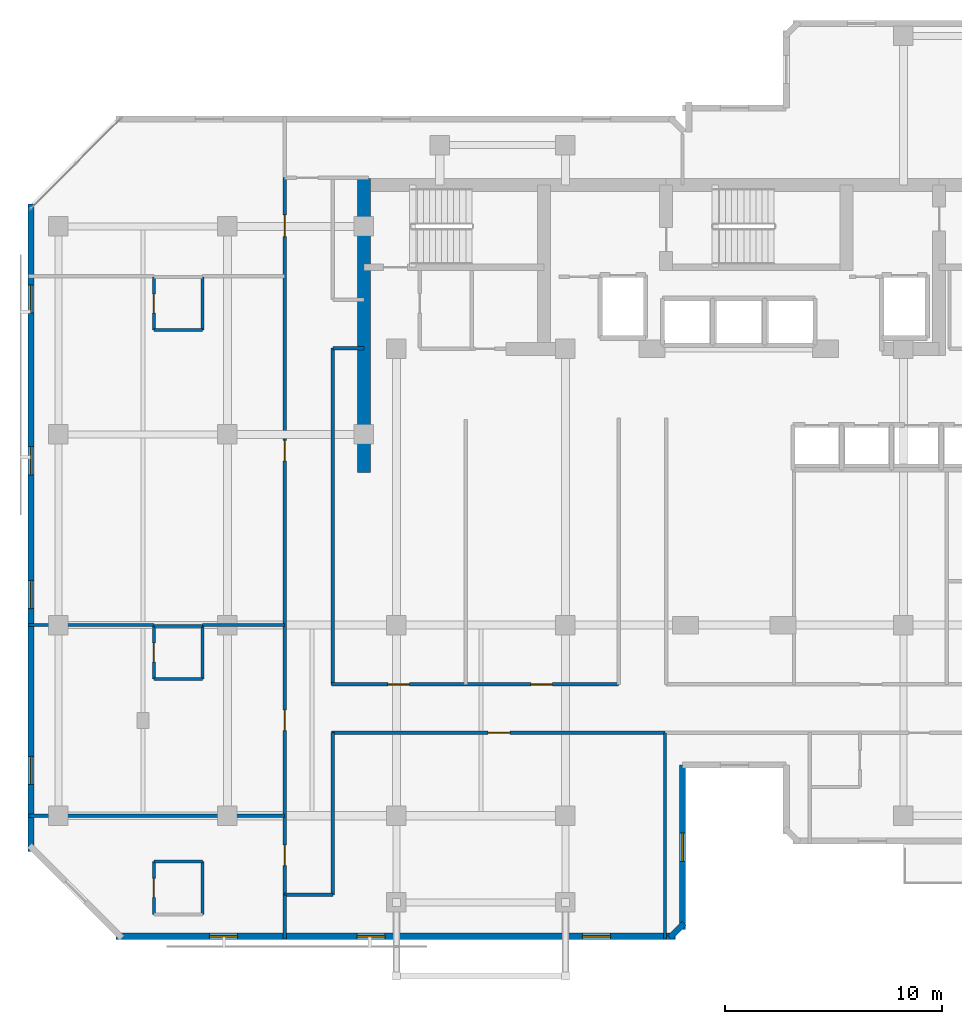
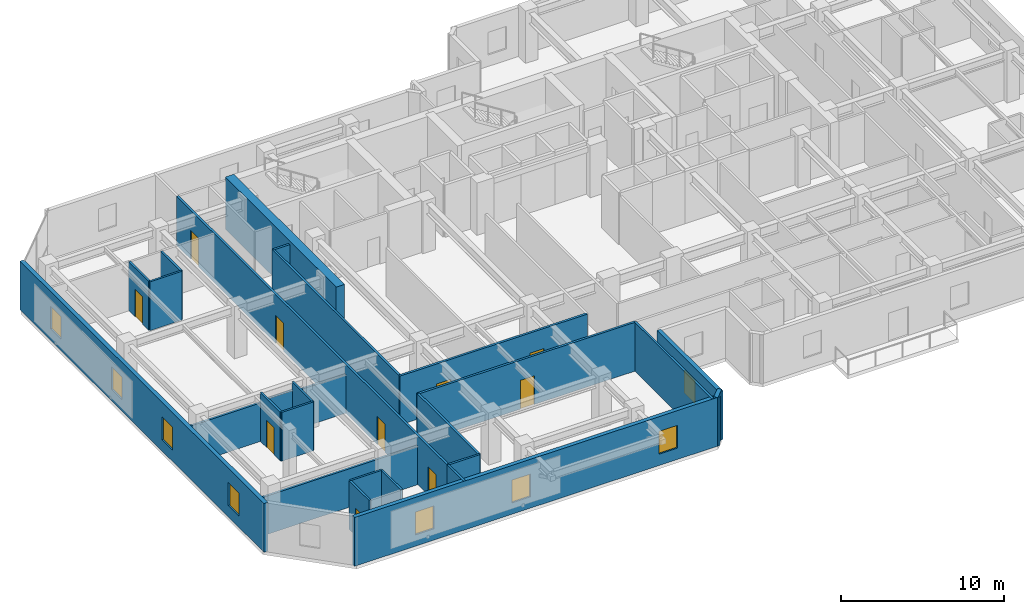
# One storey, part 4 of 10: 27 walls, 10 doors, 8 windows, 18 openings.
"""IFC4 building model written with IfcOpenShell, lengths in metres."""

from ifc_helpers import new_model, si_unit, direction, frame, frame_2d, origin, place, context, subcontext, project, spatial, rectangle, extrude, material, layer, layer_set, type_object, element, fill, save


model = new_model("IFC4")

# Units and contexts
model_context = context("Model", 3, precision=1e-05, world=origin(), true_north=direction((0.0, 1.0)))
body_context = subcontext(model_context, "Body", "Model", "MODEL_VIEW")
ifc_project = project(units=[si_unit("LENGTHUNIT", "METRE"), si_unit("AREAUNIT", "SQUARE_METRE"), si_unit("VOLUMEUNIT", "CUBIC_METRE"), si_unit("PLANEANGLEUNIT", "RADIAN"), si_unit("MASSUNIT", "GRAM", prefix="KILO")], contexts=[model_context])

# Site, building, storey
site_placement = place(None, origin())
site = spatial("IfcSite", under=ifc_project, at=site_placement, CompositionType="ELEMENT")
building_placement = place(site_placement, origin())
building = spatial("IfcBuilding", under=site, at=building_placement, Name="Kestravale Grand Hotel", CompositionType="ELEMENT")
storey_placement = place(building_placement, frame((0.0, 0.0, 196.800048828125)))
storey = spatial("IfcBuildingStorey", under=building, at=storey_placement, Name="L49", CompositionType="ELEMENT", Elevation=196.800048828125)

# Wall
ifc_material_1 = material(Name="Concrete f'c 50 MPa", Category="concrete")
ifc_layer_1 = layer(ifc_material_1, 0.60009765625)
ifc_layer_set_1 = layer_set([ifc_layer_1], Name="EW-CORE-600")
wall_type_1 = type_object("IfcWallType", Name="EW-CORE-600", PredefinedType="SHEAR", material=ifc_layer_set_1)
wall_1_placement = place(storey_placement, frame((21.89990234375, 27.050048828125, 0.0), z_axis=(0.0, 0.0, 1.0), x_axis=(0.0, 1.0, 0.0)))
element("IfcWall", 1, at=wall_1_placement, inside=storey, type_object=wall_type_1, Name="L49 core shear wall W1", PredefinedType="SHEAR", context=body_context, shape_type="SweptSolid", body=[
    extrude(rectangle(XDim=13.570068359375, YDim=0.60009765625, at=frame_2d((6.78515625, 0.0))), origin(), (0.0, 0.0, 1.0), 3.89990234375),
])

# Wall, openings, windows
ifc_material_2 = material(Name="Precast concrete f'c 45 MPa", Category="concrete")
ifc_layer_2 = layer(ifc_material_2, 0.280029296875)
ifc_layer_set_2 = layer_set([ifc_layer_2], Name="EW-PREC-280")
wall_type_2 = type_object("IfcWallType", Name="EW-PREC-280", PredefinedType="SOLIDWALL", material=ifc_layer_set_2)
wall_2_placement = place(storey_placement, frame((10.4599609375, 5.639892578125, 0.0), z_axis=(0.0, 0.0, 1.0), x_axis=(1.0, 0.0, 0.0)))
wall_2 = element("IfcWall", 2, at=wall_2_placement, inside=storey, type_object=wall_type_2, Name="L49 fluted precast facade wall 1", PredefinedType="SOLIDWALL", context=body_context, shape_type="SweptSolid", body=[
    extrude(rectangle(XDim=25.830078125, YDim=0.280029296875, at=frame_2d((12.9150390625, 0.0))), origin(), (0.0, 0.0, 1.0), 3.64990234375),
])
opening_1_placement = place(wall_2_placement, frame((4.304931640625, 0.0, 0.85009765625)))
opening_1 = element("IfcOpeningElement", 3, at=opening_1_placement, cuts=wall_2, Name="Opening W-GUEST-1300", PredefinedType="OPENING", context=body_context, shape_type="SweptSolid", body=[
    extrude(rectangle(XDim=1.300048828125, YDim=1.699951171875, at=frame_2d((0.64990234375, 0.85009765625))), frame((0.0, 0.14990234375, 0.0), z_axis=(0.0, -1.0, 0.0), x_axis=(1.0, 0.0, 0.0)), (0.0, 0.0, 1.0), 0.300048828125),
])
opening_2_placement = place(wall_2_placement, frame((11.114990234375, 0.0, 0.85009765625)))
opening_2 = element("IfcOpeningElement", 4, at=opening_2_placement, cuts=wall_2, Name="Opening W-GUEST-1300", PredefinedType="OPENING", context=body_context, shape_type="SweptSolid", body=[
    extrude(rectangle(XDim=1.300048828125, YDim=1.699951171875, at=frame_2d((0.64990234375, 0.85009765625))), frame((0.0, 0.14990234375, 0.0), z_axis=(0.0, -1.0, 0.0), x_axis=(1.0, 0.0, 0.0)), (0.0, 0.0, 1.0), 0.300048828125),
])
opening_3_placement = place(wall_2_placement, frame((21.52490234375, 0.0, 0.85009765625)))
opening_3 = element("IfcOpeningElement", 5, at=opening_3_placement, cuts=wall_2, Name="Opening W-GUEST-1300", PredefinedType="OPENING", context=body_context, shape_type="SweptSolid", body=[
    extrude(rectangle(XDim=1.300048828125, YDim=1.699951171875, at=frame_2d((0.64990234375, 0.85009765625))), frame((0.0, 0.14990234375, 0.0), z_axis=(0.0, -1.0, 0.0), x_axis=(1.0, 0.0, 0.0)), (0.0, 0.0, 1.0), 0.300048828125),
])
ifc_material_3 = material(Name="Insulated low-E double glazing in aluminium frame", Category="aluminium")
window_type = type_object("IfcWindowType", Name="W-GUEST-1300", PartitioningType="SINGLE_PANEL", PredefinedType="WINDOW", material=ifc_material_3)
window_1_placement = place(opening_1_placement, origin())
window_1 = element("IfcWindow", 6, at=window_1_placement, inside=storey, type_object=window_type, Name="L49 exterior window 1.1", OverallHeight=1.699951171875, OverallWidth=1.300048828125, PartitioningType="SINGLE_PANEL", PredefinedType="WINDOW", context=body_context, shape_type="SweptSolid", body=[
    extrude(rectangle(XDim=1.300048828125, YDim=1.699951171875, at=frame_2d((0.64990234375, 0.85009765625))), frame((0.0, 0.030029296875, 0.0), z_axis=(0.0, -1.0, 0.0), x_axis=(1.0, 0.0, 0.0)), (0.0, 0.0, 1.0), 0.06005859375),
])
fill(opening_1, window_1)
window_2_placement = place(opening_2_placement, origin())
window_2 = element("IfcWindow", 7, at=window_2_placement, inside=storey, type_object=window_type, Name="L49 exterior window 1.2", OverallHeight=1.699951171875, OverallWidth=1.300048828125, PartitioningType="SINGLE_PANEL", PredefinedType="WINDOW", context=body_context, shape_type="SweptSolid", body=[
    extrude(rectangle(XDim=1.300048828125, YDim=1.699951171875, at=frame_2d((0.64990234375, 0.85009765625))), frame((0.0, 0.030029296875, 0.0), z_axis=(0.0, -1.0, 0.0), x_axis=(1.0, 0.0, 0.0)), (0.0, 0.0, 1.0), 0.06005859375),
])
fill(opening_2, window_2)
window_3_placement = place(opening_3_placement, origin())
window_3 = element("IfcWindow", 8, at=window_3_placement, inside=storey, type_object=window_type, Name="L49 exterior window 1.3", OverallHeight=1.699951171875, OverallWidth=1.300048828125, PartitioningType="SINGLE_PANEL", PredefinedType="WINDOW", context=body_context, shape_type="SweptSolid", body=[
    extrude(rectangle(XDim=1.300048828125, YDim=1.699951171875, at=frame_2d((0.64990234375, 0.85009765625))), frame((0.0, 0.030029296875, 0.0), z_axis=(0.0, -1.0, 0.0), x_axis=(1.0, 0.0, 0.0)), (0.0, 0.0, 1.0), 0.06005859375),
])
fill(opening_3, window_3)

# Wall
wall_3_placement = place(storey_placement, frame((36.022705078125, 5.57080078125, 0.0), z_axis=(0.0, 0.0, 1.0), x_axis=(0.707106781187, 0.707106781187, 0.0)))
element("IfcWall", 9, at=wall_3_placement, inside=storey, type_object=wall_type_2, Name="L49 fluted precast facade wall 2", PredefinedType="SOLIDWALL", context=body_context, shape_type="SweptSolid", body=[
    extrude(rectangle(XDim=0.928466796875, YDim=0.280029296875, at=frame_2d((0.46435546875, 0.0))), origin(), (0.0, 0.0, 1.0), 3.64990234375),
])

# Wall, opening, window
wall_4_placement = place(storey_placement, frame((36.610107421875, 5.9599609375, 0.0), z_axis=(0.0, 0.0, 1.0), x_axis=(0.0, 1.0, 0.0)))
wall_4 = element("IfcWall", 10, at=wall_4_placement, inside=storey, type_object=wall_type_2, Name="L49 fluted precast facade wall 3", PredefinedType="SOLIDWALL", context=body_context, shape_type="SweptSolid", body=[
    extrude(rectangle(XDim=7.580078125, YDim=0.280029296875, at=frame_2d((3.7900390625, 0.0))), origin(), (0.0, 0.0, 1.0), 3.64990234375),
])
opening_4_placement = place(wall_4_placement, frame((3.139892578125, 0.0, 0.85009765625)))
opening_4 = element("IfcOpeningElement", 11, at=opening_4_placement, cuts=wall_4, Name="Opening W-GUEST-1300", PredefinedType="OPENING", context=body_context, shape_type="SweptSolid", body=[
    extrude(rectangle(XDim=1.300048828125, YDim=1.699951171875, at=frame_2d((0.64990234375, 0.85009765625))), frame((0.0, 0.14990234375, 0.0), z_axis=(0.0, -1.0, 0.0), x_axis=(1.0, 0.0, 0.0)), (0.0, 0.0, 1.0), 0.300048828125),
])
window_4_placement = place(opening_4_placement, origin())
window_4 = element("IfcWindow", 12, at=window_4_placement, inside=storey, type_object=window_type, Name="L49 exterior window 3.1", OverallHeight=1.699951171875, OverallWidth=1.300048828125, PartitioningType="SINGLE_PANEL", PredefinedType="WINDOW", context=body_context, shape_type="SweptSolid", body=[
    extrude(rectangle(XDim=1.300048828125, YDim=1.699951171875, at=frame_2d((0.64990234375, 0.85009765625))), frame((0.0, 0.030029296875, 0.0), z_axis=(0.0, -1.0, 0.0), x_axis=(1.0, 0.0, 0.0)), (0.0, 0.0, 1.0), 0.06005859375),
])
fill(opening_4, window_4)

# Wall, openings, windows
wall_5_placement = place(storey_placement, frame((6.5400390625, 39.43994140625, 0.0), z_axis=(0.0, 0.0, 1.0), x_axis=(0.0, -1.0, 0.0)))
wall_5 = element("IfcWall", 13, at=wall_5_placement, inside=storey, type_object=wall_type_2, Name="L49 fluted precast facade wall 19", PredefinedType="SOLIDWALL", context=body_context, shape_type="SweptSolid", body=[
    extrude(rectangle(XDim=29.8798828125, YDim=0.280029296875, at=frame_2d((14.93994140625, 0.0))), origin(), (0.0, 0.0, 1.0), 3.64990234375),
])
opening_5_placement = place(wall_5_placement, frame((3.735107421875, 0.0, 0.85009765625)))
opening_5 = element("IfcOpeningElement", 14, at=opening_5_placement, cuts=wall_5, Name="Opening W-GUEST-1300", PredefinedType="OPENING", context=body_context, shape_type="SweptSolid", body=[
    extrude(rectangle(XDim=1.300048828125, YDim=1.699951171875, at=frame_2d((0.64990234375, 0.85009765625))), frame((0.0, 0.14990234375, 0.0), z_axis=(0.0, -1.0, 0.0), x_axis=(1.0, 0.0, 0.0)), (0.0, 0.0, 1.0), 0.300048828125),
])
opening_6_placement = place(wall_5_placement, frame((11.205078125, 0.0, 0.85009765625)))
opening_6 = element("IfcOpeningElement", 15, at=opening_6_placement, cuts=wall_5, Name="Opening W-GUEST-1300", PredefinedType="OPENING", context=body_context, shape_type="SweptSolid", body=[
    extrude(rectangle(XDim=1.300048828125, YDim=1.699951171875, at=frame_2d((0.64990234375, 0.85009765625))), frame((0.0, 0.14990234375, 0.0), z_axis=(0.0, -1.0, 0.0), x_axis=(1.0, 0.0, 0.0)), (0.0, 0.0, 1.0), 0.300048828125),
])
opening_7_placement = place(wall_5_placement, frame((17.375, 0.0, 0.85009765625)))
opening_7 = element("IfcOpeningElement", 16, at=opening_7_placement, cuts=wall_5, Name="Opening W-GUEST-1300", PredefinedType="OPENING", context=body_context, shape_type="SweptSolid", body=[
    extrude(rectangle(XDim=1.300048828125, YDim=1.699951171875, at=frame_2d((0.64990234375, 0.85009765625))), frame((0.0, 0.14990234375, 0.0), z_axis=(0.0, -1.0, 0.0), x_axis=(1.0, 0.0, 0.0)), (0.0, 0.0, 1.0), 0.300048828125),
])
opening_8_placement = place(wall_5_placement, frame((25.4951171875, 0.0, 0.85009765625)))
opening_8 = element("IfcOpeningElement", 17, at=opening_8_placement, cuts=wall_5, Name="Opening W-GUEST-1300", PredefinedType="OPENING", context=body_context, shape_type="SweptSolid", body=[
    extrude(rectangle(XDim=1.300048828125, YDim=1.699951171875, at=frame_2d((0.64990234375, 0.85009765625))), frame((0.0, 0.14990234375, 0.0), z_axis=(0.0, -1.0, 0.0), x_axis=(1.0, 0.0, 0.0)), (0.0, 0.0, 1.0), 0.300048828125),
])
window_5_placement = place(opening_5_placement, origin())
window_5 = element("IfcWindow", 18, at=window_5_placement, inside=storey, type_object=window_type, Name="L49 exterior window 19.1", OverallHeight=1.699951171875, OverallWidth=1.300048828125, PartitioningType="SINGLE_PANEL", PredefinedType="WINDOW", context=body_context, shape_type="SweptSolid", body=[
    extrude(rectangle(XDim=1.300048828125, YDim=1.699951171875, at=frame_2d((0.64990234375, 0.85009765625))), frame((0.0, 0.030029296875, 0.0), z_axis=(0.0, -1.0, 0.0), x_axis=(1.0, 0.0, 0.0)), (0.0, 0.0, 1.0), 0.06005859375),
])
fill(opening_5, window_5)
window_6_placement = place(opening_6_placement, origin())
window_6 = element("IfcWindow", 19, at=window_6_placement, inside=storey, type_object=window_type, Name="L49 exterior window 19.2", OverallHeight=1.699951171875, OverallWidth=1.300048828125, PartitioningType="SINGLE_PANEL", PredefinedType="WINDOW", context=body_context, shape_type="SweptSolid", body=[
    extrude(rectangle(XDim=1.300048828125, YDim=1.699951171875, at=frame_2d((0.64990234375, 0.85009765625))), frame((0.0, 0.030029296875, 0.0), z_axis=(0.0, -1.0, 0.0), x_axis=(1.0, 0.0, 0.0)), (0.0, 0.0, 1.0), 0.06005859375),
])
fill(opening_6, window_6)
window_7_placement = place(opening_7_placement, origin())
window_7 = element("IfcWindow", 20, at=window_7_placement, inside=storey, type_object=window_type, Name="L49 exterior window 19.3", OverallHeight=1.699951171875, OverallWidth=1.300048828125, PartitioningType="SINGLE_PANEL", PredefinedType="WINDOW", context=body_context, shape_type="SweptSolid", body=[
    extrude(rectangle(XDim=1.300048828125, YDim=1.699951171875, at=frame_2d((0.64990234375, 0.85009765625))), frame((0.0, 0.030029296875, 0.0), z_axis=(0.0, -1.0, 0.0), x_axis=(1.0, 0.0, 0.0)), (0.0, 0.0, 1.0), 0.06005859375),
])
fill(opening_7, window_7)
window_8_placement = place(opening_8_placement, origin())
window_8 = element("IfcWindow", 21, at=window_8_placement, inside=storey, type_object=window_type, Name="L49 exterior window 19.4", OverallHeight=1.699951171875, OverallWidth=1.300048828125, PartitioningType="SINGLE_PANEL", PredefinedType="WINDOW", context=body_context, shape_type="SweptSolid", body=[
    extrude(rectangle(XDim=1.300048828125, YDim=1.699951171875, at=frame_2d((0.64990234375, 0.85009765625))), frame((0.0, 0.030029296875, 0.0), z_axis=(0.0, -1.0, 0.0), x_axis=(1.0, 0.0, 0.0)), (0.0, 0.0, 1.0), 0.06005859375),
])
fill(opening_8, window_8)

# Wall, openings, doors
ifc_material_4 = material(Name="Acoustic fire-rated gypsum board partition", Category="other")
ifc_layer_3 = layer(ifc_material_4, 0.159912109375)
ifc_layer_set_3 = layer_set([ifc_layer_3], Name="IW-CORR-160")
wall_type_3 = type_object("IfcWallType", Name="IW-CORR-160", PredefinedType="PARTITIONING", material=ifc_layer_set_3)
wall_6_placement = place(storey_placement, frame((20.39990234375, 17.260009765625, 0.0), z_axis=(0.0, 0.0, 1.0), x_axis=(1.0, 0.0, 0.0)))
wall_6 = element("IfcWall", 22, at=wall_6_placement, inside=storey, type_object=wall_type_3, Name="W-L49-CW-N", PredefinedType="PARTITIONING", context=body_context, shape_type="SweptSolid", body=[
    extrude(rectangle(XDim=13.25, YDim=0.159912109375, at=frame_2d((6.625, 0.0))), origin(), (0.0, 0.0, 1.0), 3.64990234375),
])
opening_9_placement = place(wall_6_placement, frame((2.60009765625, 0.0, 0.0)))
opening_9 = element("IfcOpeningElement", 23, at=opening_9_placement, cuts=wall_6, Name="Opening D-GUEST-1000", PredefinedType="OPENING", context=body_context, shape_type="SweptSolid", body=[
    extrude(rectangle(XDim=1.0, YDim=2.14990234375, at=frame_2d((0.5, 1.074951171875))), frame((0.0, 0.08984375, 0.0), z_axis=(0.0, -1.0, 0.0), x_axis=(1.0, 0.0, 0.0)), (0.0, 0.0, 1.0), 0.179931640625),
])
opening_10_placement = place(wall_6_placement, frame((9.199951171875, 0.0, 0.0)))
opening_10 = element("IfcOpeningElement", 24, at=opening_10_placement, cuts=wall_6, Name="Opening D-GUEST-1000", PredefinedType="OPENING", context=body_context, shape_type="SweptSolid", body=[
    extrude(rectangle(XDim=1.0, YDim=2.14990234375, at=frame_2d((0.5, 1.074951171875))), frame((0.0, 0.08984375, 0.0), z_axis=(0.0, -1.0, 0.0), x_axis=(1.0, 0.0, 0.0)), (0.0, 0.0, 1.0), 0.179931640625),
])
ifc_material_5 = material(Name="Accessible walnut veneer hotel entrance fire door", Category="wood")
door_type_1 = type_object("IfcDoorType", Name="D-GUEST-1000", OperationType="NOTDEFINED", PredefinedType="DOOR", material=ifc_material_5)
door_1_placement = place(opening_9_placement, origin())
door_1 = element("IfcDoor", 25, at=door_1_placement, inside=storey, type_object=door_type_1, Name="D-L49-RECL-W1", OperationType="SINGLE_SWING_LEFT", OverallHeight=2.14990234375, OverallWidth=1.0, PredefinedType="DOOR", context=body_context, shape_type="SweptSolid", body=[
    extrude(rectangle(XDim=1.0, YDim=2.14990234375, at=frame_2d((0.5, 1.074951171875))), frame((0.0, 0.02490234375, 0.0), z_axis=(0.0, -1.0, 0.0), x_axis=(1.0, 0.0, 0.0)), (0.0, 0.0, 1.0), 0.050048828125),
])
fill(opening_9, door_1)
door_2_placement = place(opening_10_placement, origin())
door_2 = element("IfcDoor", 26, at=door_2_placement, inside=storey, type_object=door_type_1, Name="D-L49-RECL-W2", OperationType="SINGLE_SWING_RIGHT", OverallHeight=2.14990234375, OverallWidth=1.0, PredefinedType="DOOR", context=body_context, shape_type="SweptSolid", body=[
    extrude(rectangle(XDim=1.0, YDim=2.14990234375, at=frame_2d((0.5, 1.074951171875))), frame((0.0, 0.02490234375, 0.0), z_axis=(0.0, -1.0, 0.0), x_axis=(1.0, 0.0, 0.0)), (0.0, 0.0, 1.0), 0.050048828125),
])
fill(opening_10, door_2)

# Wall, opening, door
wall_7_placement = place(storey_placement, frame((20.39990234375, 15.0400390625, 0.0), z_axis=(0.0, 0.0, 1.0), x_axis=(1.0, 0.0, 0.0)))
wall_7 = element("IfcWall", 27, at=wall_7_placement, inside=storey, type_object=wall_type_3, Name="W-L49-CW-S", PredefinedType="PARTITIONING", context=body_context, shape_type="SweptSolid", body=[
    extrude(rectangle(XDim=15.400146484375, YDim=0.159912109375, at=frame_2d((7.7001953125, 0.0))), origin(), (0.0, 0.0, 1.0), 3.64990234375),
])
opening_11_placement = place(wall_7_placement, frame((7.22998046875, 0.0, 0.0)))
opening_11 = element("IfcOpeningElement", 28, at=opening_11_placement, cuts=wall_7, Name="Opening D-GUEST-1000", PredefinedType="OPENING", context=body_context, shape_type="SweptSolid", body=[
    extrude(rectangle(XDim=1.0, YDim=2.14990234375, at=frame_2d((0.5, 1.074951171875))), frame((0.0, 0.08984375, 0.0), z_axis=(0.0, -1.0, 0.0), x_axis=(1.0, 0.0, 0.0)), (0.0, 0.0, 1.0), 0.179931640625),
])
door_3_placement = place(opening_11_placement, origin())
door_3 = element("IfcDoor", 29, at=door_3_placement, inside=storey, type_object=door_type_1, Name="D-L49-AMW", OperationType="SINGLE_SWING_LEFT", OverallHeight=2.14990234375, OverallWidth=1.0, PredefinedType="DOOR", context=body_context, shape_type="SweptSolid", body=[
    extrude(rectangle(XDim=1.0, YDim=2.14990234375, at=frame_2d((0.5, 1.074951171875))), frame((0.0, 0.02490234375, 0.0), z_axis=(0.0, -1.0, 0.0), x_axis=(1.0, 0.0, 0.0)), (0.0, 0.0, 1.0), 0.050048828125),
])
fill(opening_11, door_3)

# Wall, openings, doors
wall_8_placement = place(storey_placement, frame((18.239990234375, 7.550048828125, 0.0), z_axis=(0.0, 0.0, 1.0), x_axis=(0.0, 1.0, 0.0)))
wall_8 = element("IfcWall", 30, at=wall_8_placement, inside=storey, type_object=wall_type_3, Name="W-L49-SW-W", PredefinedType="PARTITIONING", context=body_context, shape_type="SweptSolid", body=[
    extrude(rectangle(XDim=33.099853515625, YDim=0.159912109375, at=frame_2d((16.5498046875, 0.0))), origin(), (0.0, 0.0, 1.0), 3.64990234375),
])
opening_12_placement = place(wall_8_placement, frame((1.35009765625, 0.0, 0.0)))
opening_12 = element("IfcOpeningElement", 31, at=opening_12_placement, cuts=wall_8, Name="Opening D-GUEST-950", PredefinedType="OPENING", context=body_context, shape_type="SweptSolid", body=[
    extrude(rectangle(XDim=0.949951171875, YDim=2.10009765625, at=frame_2d((0.47509765625, 1.050048828125))), frame((0.0, 0.08984375, 0.0), z_axis=(0.0, -1.0, 0.0), x_axis=(1.0, 0.0, 0.0)), (0.0, 0.0, 1.0), 0.179931640625),
])
opening_13_placement = place(wall_8_placement, frame((7.574951171875, 0.0, 0.0)))
opening_13 = element("IfcOpeningElement", 32, at=opening_13_placement, cuts=wall_8, Name="Opening D-GUEST-950", PredefinedType="OPENING", context=body_context, shape_type="SweptSolid", body=[
    extrude(rectangle(XDim=0.949951171875, YDim=2.10009765625, at=frame_2d((0.47509765625, 1.050048828125))), frame((0.0, 0.08984375, 0.0), z_axis=(0.0, -1.0, 0.0), x_axis=(1.0, 0.0, 0.0)), (0.0, 0.0, 1.0), 0.179931640625),
])
opening_14_placement = place(wall_8_placement, frame((20.02490234375, 0.0, 0.0)))
opening_14 = element("IfcOpeningElement", 33, at=opening_14_placement, cuts=wall_8, Name="Opening D-GUEST-950", PredefinedType="OPENING", context=body_context, shape_type="SweptSolid", body=[
    extrude(rectangle(XDim=0.949951171875, YDim=2.10009765625, at=frame_2d((0.47509765625, 1.050048828125))), frame((0.0, 0.08984375, 0.0), z_axis=(0.0, -1.0, 0.0), x_axis=(1.0, 0.0, 0.0)), (0.0, 0.0, 1.0), 0.179931640625),
])
opening_15_placement = place(wall_8_placement, frame((30.3798828125, 0.0, 0.0)))
opening_15 = element("IfcOpeningElement", 34, at=opening_15_placement, cuts=wall_8, Name="Opening D-GUEST-1000", PredefinedType="OPENING", context=body_context, shape_type="SweptSolid", body=[
    extrude(rectangle(XDim=1.0, YDim=2.14990234375, at=frame_2d((0.5, 1.074951171875))), frame((0.0, 0.08984375, 0.0), z_axis=(0.0, -1.0, 0.0), x_axis=(1.0, 0.0, 0.0)), (0.0, 0.0, 1.0), 0.179931640625),
])
door_4_placement = place(opening_15_placement, origin())
door_4 = element("IfcDoor", 35, at=door_4_placement, inside=storey, type_object=door_type_1, Name="D-L49-AMWW", OperationType="SINGLE_SWING_LEFT", OverallHeight=2.14990234375, OverallWidth=1.0, PredefinedType="DOOR", context=body_context, shape_type="SweptSolid", body=[
    extrude(rectangle(XDim=1.0, YDim=2.14990234375, at=frame_2d((0.5, 1.074951171875))), frame((0.0, 0.02490234375, 0.0), z_axis=(0.0, -1.0, 0.0), x_axis=(1.0, 0.0, 0.0)), (0.0, 0.0, 1.0), 0.050048828125),
])
fill(opening_15, door_4)
ifc_material_6 = material(Name="Walnut veneer hotel guestroom entrance fire door", Category="wood")
door_type_2 = type_object("IfcDoorType", Name="D-GUEST-950", OperationType="NOTDEFINED", PredefinedType="DOOR", material=ifc_material_6)
door_5_placement = place(opening_12_placement, origin())
door_5 = element("IfcDoor", 36, at=door_5_placement, inside=storey, type_object=door_type_2, Name="D-L49-U02-ENT", OperationType="SINGLE_SWING_RIGHT", OverallHeight=2.10009765625, OverallWidth=0.949951171875, PredefinedType="DOOR", context=body_context, shape_type="SweptSolid", body=[
    extrude(rectangle(XDim=0.949951171875, YDim=2.10009765625, at=frame_2d((0.47509765625, 1.050048828125))), frame((0.0, 0.02490234375, 0.0), z_axis=(0.0, -1.0, 0.0), x_axis=(1.0, 0.0, 0.0)), (0.0, 0.0, 1.0), 0.050048828125),
])
fill(opening_12, door_5)
door_6_placement = place(opening_13_placement, origin())
door_6 = element("IfcDoor", 37, at=door_6_placement, inside=storey, type_object=door_type_2, Name="D-L49-U03-ENT", OperationType="SINGLE_SWING_RIGHT", OverallHeight=2.10009765625, OverallWidth=0.949951171875, PredefinedType="DOOR", context=body_context, shape_type="SweptSolid", body=[
    extrude(rectangle(XDim=0.949951171875, YDim=2.10009765625, at=frame_2d((0.47509765625, 1.050048828125))), frame((0.0, 0.02490234375, 0.0), z_axis=(0.0, -1.0, 0.0), x_axis=(1.0, 0.0, 0.0)), (0.0, 0.0, 1.0), 0.050048828125),
])
fill(opening_13, door_6)
door_7_placement = place(opening_14_placement, origin())
door_7 = element("IfcDoor", 38, at=door_7_placement, inside=storey, type_object=door_type_2, Name="D-L49-U04-ENT", OperationType="SINGLE_SWING_RIGHT", OverallHeight=2.10009765625, OverallWidth=0.949951171875, PredefinedType="DOOR", context=body_context, shape_type="SweptSolid", body=[
    extrude(rectangle(XDim=0.949951171875, YDim=2.10009765625, at=frame_2d((0.47509765625, 1.050048828125))), frame((0.0, 0.02490234375, 0.0), z_axis=(0.0, -1.0, 0.0), x_axis=(1.0, 0.0, 0.0)), (0.0, 0.0, 1.0), 0.050048828125),
])
fill(opening_14, door_7)

# Walls
wall_9_placement = place(storey_placement, frame((20.4599609375, 7.550048828125, 0.0), z_axis=(0.0, 0.0, 1.0), x_axis=(0.0, 1.0, 0.0)))
element("IfcWall", 39, at=wall_9_placement, inside=storey, type_object=wall_type_3, Name="W-L49-SW-E", PredefinedType="PARTITIONING", context=body_context, shape_type="SweptSolid", body=[
    extrude(rectangle(XDim=7.489990234375, YDim=0.159912109375, at=frame_2d((3.7451171875, 0.0))), origin(), (0.0, 0.0, 1.0), 3.64990234375),
])
wall_10_placement = place(storey_placement, frame((20.4599609375, 32.780029296875, 0.0), z_axis=(0.0, 0.0, 1.0), x_axis=(1.0, 0.0, 0.0)))
element("IfcWall", 40, at=wall_10_placement, inside=storey, type_object=wall_type_3, Name="W-L49-SW-CS", PredefinedType="PARTITIONING", context=body_context, shape_type="SweptSolid", body=[
    extrude(rectangle(XDim=1.43994140625, YDim=0.159912109375, at=frame_2d((0.719970703125, 0.0))), origin(), (0.0, 0.0, 1.0), 3.64990234375),
])

# Wall, opening, door
ifc_material_7 = material(Name="Moisture-resistant tile-backer plumbing chase wall", Category="other")
ifc_layer_4 = layer(ifc_material_7, 0.139892578125)
ifc_layer_set_4 = layer_set([ifc_layer_4], Name="IW-PLB-140")
wall_type_4 = type_object("IfcWallType", Name="IW-PLB-140", PredefinedType="PLUMBINGWALL", material=ifc_layer_set_4)
wall_11_placement = place(storey_placement, frame((12.199951171875, 6.64990234375, 0.0), z_axis=(0.0, 0.0, 1.0), x_axis=(0.0, 1.0, 0.0)))
wall_11 = element("IfcWall", 41, at=wall_11_placement, inside=storey, type_object=wall_type_4, Name="W-L49-U02-BW", PredefinedType="PLUMBINGWALL", context=body_context, shape_type="SweptSolid", body=[
    extrude(rectangle(XDim=2.4501953125, YDim=0.139892578125, at=frame_2d((1.22509765625, 0.0))), origin(), (0.0, 0.0, 1.0), 3.64990234375),
])
opening_16_placement = place(wall_11_placement, frame((0.784912109375, 0.0, 0.0)))
opening_16 = element("IfcOpeningElement", 42, at=opening_16_placement, cuts=wall_11, Name="Opening D-BATH-880", PredefinedType="OPENING", context=body_context, shape_type="SweptSolid", body=[
    extrude(rectangle(XDim=0.8798828125, YDim=2.050048828125, at=frame_2d((0.43994140625, 1.02490234375))), frame((0.0, 0.079833984375, 0.0), z_axis=(0.0, -1.0, 0.0), x_axis=(1.0, 0.0, 0.0)), (0.0, 0.0, 1.0), 0.159912109375),
])
ifc_material_8 = material(Name="Moisture-sealed walnut en-suite bathroom door", Category="wood")
door_type_3 = type_object("IfcDoorType", Name="D-BATH-880", OperationType="NOTDEFINED", PredefinedType="DOOR", material=ifc_material_8)
door_8_placement = place(opening_16_placement, origin())
door_8 = element("IfcDoor", 43, at=door_8_placement, inside=storey, type_object=door_type_3, Name="D-L49-U02-BATH", OperationType="SINGLE_SWING_LEFT", OverallHeight=2.050048828125, OverallWidth=0.8798828125, PredefinedType="DOOR", context=body_context, shape_type="SweptSolid", body=[
    extrude(rectangle(XDim=0.8798828125, YDim=2.050048828125, at=frame_2d((0.43994140625, 1.02490234375))), frame((0.0, 0.02490234375, 0.0), z_axis=(0.0, -1.0, 0.0), x_axis=(1.0, 0.0, 0.0)), (0.0, 0.0, 1.0), 0.050048828125),
])
fill(opening_16, door_8)

# Walls
wall_12_placement = place(storey_placement, frame((14.449951171875, 6.64990234375, 0.0), z_axis=(0.0, 0.0, 1.0), x_axis=(0.0, 1.0, 0.0)))
element("IfcWall", 44, at=wall_12_placement, inside=storey, type_object=wall_type_4, Name="W-L49-U02-BE", PredefinedType="PLUMBINGWALL", context=body_context, shape_type="SweptSolid", body=[
    extrude(rectangle(XDim=2.4501953125, YDim=0.139892578125, at=frame_2d((1.22509765625, 0.0))), origin(), (0.0, 0.0, 1.0), 3.64990234375),
])
wall_13_placement = place(storey_placement, frame((12.199951171875, 9.10009765625, 0.0), z_axis=(0.0, 0.0, 1.0), x_axis=(1.0, 0.0, 0.0)))
element("IfcWall", 45, at=wall_13_placement, inside=storey, type_object=wall_type_4, Name="W-L49-U02-BN", PredefinedType="PLUMBINGWALL", context=body_context, shape_type="SweptSolid", body=[
    extrude(rectangle(XDim=2.25, YDim=0.139892578125, at=frame_2d((1.125, 0.0))), origin(), (0.0, 0.0, 1.0), 3.64990234375),
])

# Wall, opening, door
wall_14_placement = place(storey_placement, frame((12.199951171875, 17.510009765625, 0.0), z_axis=(0.0, 0.0, 1.0), x_axis=(0.0, 1.0, 0.0)))
wall_14 = element("IfcWall", 46, at=wall_14_placement, inside=storey, type_object=wall_type_4, Name="W-L49-U03-BW", PredefinedType="PLUMBINGWALL", context=body_context, shape_type="SweptSolid", body=[
    extrude(rectangle(XDim=2.449951171875, YDim=0.139892578125, at=frame_2d((1.22509765625, 0.0))), origin(), (0.0, 0.0, 1.0), 3.64990234375),
])
opening_17_placement = place(wall_14_placement, frame((0.784912109375, 0.0, 0.0)))
opening_17 = element("IfcOpeningElement", 47, at=opening_17_placement, cuts=wall_14, Name="Opening D-BATH-880", PredefinedType="OPENING", context=body_context, shape_type="SweptSolid", body=[
    extrude(rectangle(XDim=0.8798828125, YDim=2.050048828125, at=frame_2d((0.43994140625, 1.02490234375))), frame((0.0, 0.079833984375, 0.0), z_axis=(0.0, -1.0, 0.0), x_axis=(1.0, 0.0, 0.0)), (0.0, 0.0, 1.0), 0.159912109375),
])
door_9_placement = place(opening_17_placement, origin())
door_9 = element("IfcDoor", 48, at=door_9_placement, inside=storey, type_object=door_type_3, Name="D-L49-U03-BATH", OperationType="SINGLE_SWING_LEFT", OverallHeight=2.050048828125, OverallWidth=0.8798828125, PredefinedType="DOOR", context=body_context, shape_type="SweptSolid", body=[
    extrude(rectangle(XDim=0.8798828125, YDim=2.050048828125, at=frame_2d((0.43994140625, 1.02490234375))), frame((0.0, 0.02490234375, 0.0), z_axis=(0.0, -1.0, 0.0), x_axis=(1.0, 0.0, 0.0)), (0.0, 0.0, 1.0), 0.050048828125),
])
fill(opening_17, door_9)

# Walls
wall_15_placement = place(storey_placement, frame((14.449951171875, 17.510009765625, 0.0), z_axis=(0.0, 0.0, 1.0), x_axis=(0.0, 1.0, 0.0)))
element("IfcWall", 49, at=wall_15_placement, inside=storey, type_object=wall_type_4, Name="W-L49-U03-BE", PredefinedType="PLUMBINGWALL", context=body_context, shape_type="SweptSolid", body=[
    extrude(rectangle(XDim=2.449951171875, YDim=0.139892578125, at=frame_2d((1.22509765625, 0.0))), origin(), (0.0, 0.0, 1.0), 3.64990234375),
])
wall_16_placement = place(storey_placement, frame((12.199951171875, 17.510009765625, 0.0), z_axis=(0.0, 0.0, 1.0), x_axis=(1.0, 0.0, 0.0)))
element("IfcWall", 50, at=wall_16_placement, inside=storey, type_object=wall_type_4, Name="W-L49-U03-BS", PredefinedType="PLUMBINGWALL", context=body_context, shape_type="SweptSolid", body=[
    extrude(rectangle(XDim=2.25, YDim=0.139892578125, at=frame_2d((1.125, 0.0))), origin(), (0.0, 0.0, 1.0), 3.64990234375),
])
wall_17_placement = place(storey_placement, frame((12.199951171875, 19.9599609375, 0.0), z_axis=(0.0, 0.0, 1.0), x_axis=(1.0, 0.0, 0.0)))
element("IfcWall", 51, at=wall_17_placement, inside=storey, type_object=wall_type_4, Name="W-L49-U03-BN", PredefinedType="PLUMBINGWALL", context=body_context, shape_type="SweptSolid", body=[
    extrude(rectangle(XDim=2.25, YDim=0.139892578125, at=frame_2d((1.125, 0.0))), origin(), (0.0, 0.0, 1.0), 3.037841796875),
])

# Wall, opening, door
wall_18_placement = place(storey_placement, frame((12.199951171875, 33.610107421875, 0.0), z_axis=(0.0, 0.0, 1.0), x_axis=(0.0, 1.0, 0.0)))
wall_18 = element("IfcWall", 52, at=wall_18_placement, inside=storey, type_object=wall_type_4, Name="W-L49-U04-BW", PredefinedType="PLUMBINGWALL", context=body_context, shape_type="SweptSolid", body=[
    extrude(rectangle(XDim=2.449951171875, YDim=0.139892578125, at=frame_2d((1.22509765625, 0.0))), origin(), (0.0, 0.0, 1.0), 3.64990234375),
])
opening_18_placement = place(wall_18_placement, frame((0.784912109375, 0.0, 0.0)))
opening_18 = element("IfcOpeningElement", 53, at=opening_18_placement, cuts=wall_18, Name="Opening D-BATH-880", PredefinedType="OPENING", context=body_context, shape_type="SweptSolid", body=[
    extrude(rectangle(XDim=0.8798828125, YDim=2.050048828125, at=frame_2d((0.43994140625, 1.02490234375))), frame((0.0, 0.079833984375, 0.0), z_axis=(0.0, -1.0, 0.0), x_axis=(1.0, 0.0, 0.0)), (0.0, 0.0, 1.0), 0.159912109375),
])
door_10_placement = place(opening_18_placement, origin())
door_10 = element("IfcDoor", 54, at=door_10_placement, inside=storey, type_object=door_type_3, Name="D-L49-U04-BATH", OperationType="SINGLE_SWING_LEFT", OverallHeight=2.050048828125, OverallWidth=0.8798828125, PredefinedType="DOOR", context=body_context, shape_type="SweptSolid", body=[
    extrude(rectangle(XDim=0.8798828125, YDim=2.050048828125, at=frame_2d((0.43994140625, 1.02490234375))), frame((0.0, 0.02490234375, 0.0), z_axis=(0.0, -1.0, 0.0), x_axis=(1.0, 0.0, 0.0)), (0.0, 0.0, 1.0), 0.050048828125),
])
fill(opening_18, door_10)

# Walls
wall_19_placement = place(storey_placement, frame((14.449951171875, 33.610107421875, 0.0), z_axis=(0.0, 0.0, 1.0), x_axis=(0.0, 1.0, 0.0)))
element("IfcWall", 55, at=wall_19_placement, inside=storey, type_object=wall_type_4, Name="W-L49-U04-BE", PredefinedType="PLUMBINGWALL", context=body_context, shape_type="SweptSolid", body=[
    extrude(rectangle(XDim=2.449951171875, YDim=0.139892578125, at=frame_2d((1.22509765625, 0.0))), origin(), (0.0, 0.0, 1.0), 3.64990234375),
])
wall_20_placement = place(storey_placement, frame((12.199951171875, 33.610107421875, 0.0), z_axis=(0.0, 0.0, 1.0), x_axis=(1.0, 0.0, 0.0)))
element("IfcWall", 56, at=wall_20_placement, inside=storey, type_object=wall_type_4, Name="W-L49-U04-BS", PredefinedType="PLUMBINGWALL", context=body_context, shape_type="SweptSolid", body=[
    extrude(rectangle(XDim=2.25, YDim=0.139892578125, at=frame_2d((1.125, 0.0))), origin(), (0.0, 0.0, 1.0), 3.64990234375),
])
ifc_material_9 = material(Name="Double-stud STC 52 acoustic demising partition", Category="other")
ifc_layer_5 = layer(ifc_material_9, 0.14990234375)
ifc_layer_set_5 = layer_set([ifc_layer_5], Name="IW-UNIT-150")
wall_type_5 = type_object("IfcWallType", Name="IW-UNIT-150", PredefinedType="PARTITIONING", material=ifc_layer_set_5)
wall_21_placement = place(storey_placement, frame((18.239990234375, 7.550048828125, 0.0), z_axis=(0.0, 0.0, 1.0), x_axis=(1.0, 0.0, 0.0)))
element("IfcWall", 57, at=wall_21_placement, inside=storey, type_object=wall_type_5, Name="W-L49-SW-S", PredefinedType="PARTITIONING", context=body_context, shape_type="SweptSolid", body=[
    extrude(rectangle(XDim=2.219970703125, YDim=0.14990234375, at=frame_2d((1.10986328125, 0.0))), origin(), (0.0, 0.0, 1.0), 3.64990234375),
])
wall_22_placement = place(storey_placement, frame((20.4599609375, 17.260009765625, 0.0), z_axis=(0.0, 0.0, 1.0), x_axis=(0.0, 1.0, 0.0)))
element("IfcWall", 58, at=wall_22_placement, inside=storey, type_object=wall_type_5, Name="W-L49-RCLW-W", PredefinedType="PARTITIONING", context=body_context, shape_type="SweptSolid", body=[
    extrude(rectangle(XDim=15.5400390625, YDim=0.14990234375, at=frame_2d((7.77001953125, 0.0))), origin(), (0.0, 0.0, 1.0), 3.64990234375),
])
wall_23_placement = place(storey_placement, frame((35.800048828125, 5.52001953125, 0.0), z_axis=(0.0, 0.0, 1.0), x_axis=(0.0, 1.0, 0.0)))
element("IfcWall", 59, at=wall_23_placement, inside=storey, type_object=wall_type_5, Name="W-L49-MID-S", PredefinedType="PARTITIONING", context=body_context, shape_type="SweptSolid", body=[
    extrude(rectangle(XDim=9.5, YDim=0.14990234375, at=frame_2d((4.75, 0.0))), origin(), (0.0, 0.0, 1.0), 3.64990234375),
])
wall_24_placement = place(storey_placement, frame((18.239990234375, 5.52001953125, 0.0), z_axis=(0.0, 0.0, 1.0), x_axis=(0.0, 1.0, 0.0)))
element("IfcWall", 60, at=wall_24_placement, inside=storey, type_object=wall_type_5, Name="W-L49-SW-EXT", PredefinedType="PARTITIONING", context=body_context, shape_type="SweptSolid", body=[
    extrude(rectangle(XDim=2.030029296875, YDim=0.14990234375, at=frame_2d((1.01513671875, 0.0))), origin(), (0.0, 0.0, 1.0), 3.64990234375),
])
wall_25_placement = place(storey_placement, frame((6.419921875, 11.199951171875, 0.0), z_axis=(0.0, 0.0, 1.0), x_axis=(1.0, 0.0, 0.0)))
element("IfcWall", 61, at=wall_25_placement, inside=storey, type_object=wall_type_5, Name="W-L49-WW-1", PredefinedType="PARTITIONING", context=body_context, shape_type="SweptSolid", body=[
    extrude(rectangle(XDim=11.820068359375, YDim=0.14990234375, at=frame_2d((5.91015625, 0.0))), origin(), (0.0, 0.0, 1.0), 2.8779296875),
])
wall_26_placement = place(storey_placement, frame((6.419921875, 20.0, 0.0), z_axis=(0.0, 0.0, 1.0), x_axis=(1.0, 0.0, 0.0)))
element("IfcWall", 62, at=wall_26_placement, inside=storey, type_object=wall_type_5, Name="W-L49-WW-2", PredefinedType="PARTITIONING", context=body_context, shape_type="SweptSolid", body=[
    extrude(rectangle(XDim=5.780029296875, YDim=0.14990234375, at=frame_2d((2.89013671875, 0.0))), origin(), (0.0, 0.0, 1.0), 2.8779296875),
])
wall_27_placement = place(storey_placement, frame((14.449951171875, 20.0, 0.0), z_axis=(0.0, 0.0, 1.0), x_axis=(1.0, 0.0, 0.0)))
element("IfcWall", 63, at=wall_27_placement, inside=storey, type_object=wall_type_5, Name="W-L49-WW-2", PredefinedType="PARTITIONING", context=body_context, shape_type="SweptSolid", body=[
    extrude(rectangle(XDim=3.7900390625, YDim=0.14990234375, at=frame_2d((1.89501953125, 0.0))), origin(), (0.0, 0.0, 1.0), 2.8779296875),
])

save(model, "model.ifc")
